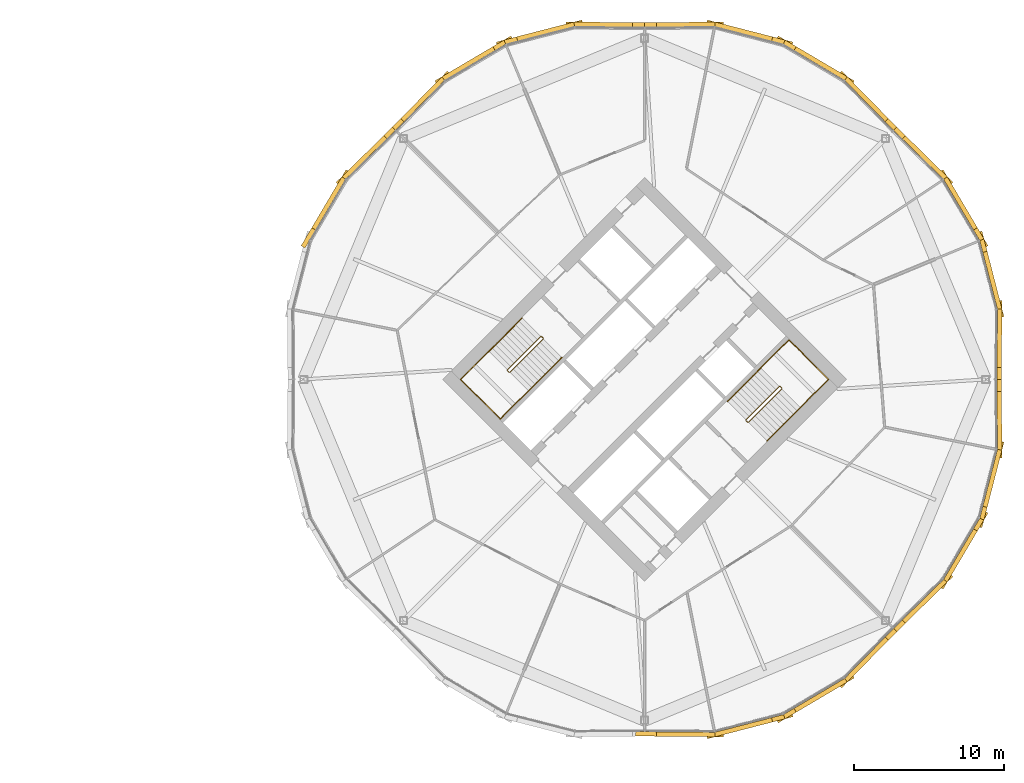
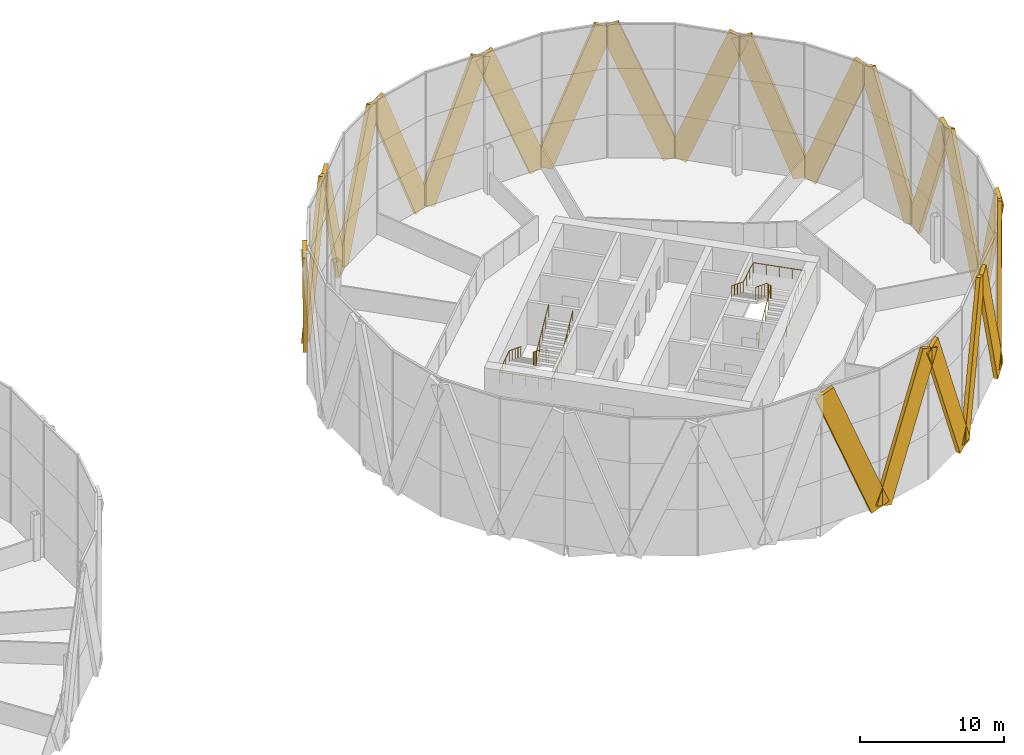
# One storey, part 26 of 26: 22 coverings, 4 railings.
"""IFC4 building model written with IfcOpenShell, lengths in metres."""

from ifc_helpers import new_model, si_unit, direction, frame, origin, origin_2d, place, context, subcontext, project, spatial, rectangle, circle, extrude, material, material_profile, profile_set, type_object, element, save


model = new_model("IFC4")

# Units and contexts
model_context = context("Model", 3, precision=1e-05, world=origin(), true_north=direction((0.0, 1.0)))
body_context = subcontext(model_context, "Body", "Model", "MODEL_VIEW")
ifc_project = project(units=[si_unit("LENGTHUNIT", "METRE"), si_unit("AREAUNIT", "SQUARE_METRE"), si_unit("VOLUMEUNIT", "CUBIC_METRE"), si_unit("PLANEANGLEUNIT", "RADIAN"), si_unit("MASSUNIT", "GRAM", prefix="KILO")], contexts=[model_context])

# Site, building, storey
site_placement = place(None, origin())
site = spatial("IfcSite", under=ifc_project, at=site_placement, CompositionType="ELEMENT")
building_placement = place(site_placement, origin())
building = spatial("IfcBuilding", under=site, at=building_placement, Name="Ogive Gate Towers", CompositionType="ELEMENT")
storey_placement = place(building_placement, frame((0.0, 0.0, 87.89990234375)))
storey = spatial("IfcBuildingStorey", under=building, at=storey_placement, Name="L20", CompositionType="ELEMENT", Elevation=87.89990234375)

# Coverings
ifc_material_1 = material(Name="Pale metal aluminium", Category="aluminium")
ifc_material_profile = material_profile(ifc_material_1, rectangle(XDim=0.300048828125, YDim=1.5, at=origin_2d()), Name="1500 x 300 pale metal aluminium")
ifc_profile_set = profile_set([ifc_material_profile], Name="Pale metal aluminium")
covering_type = type_object("IfcCoveringType", Name="Facade fin 1500 x 300", PredefinedType="CLADDING", material=ifc_profile_set)
covering_1_placement = place(storey_placement, frame((59.622314453125, 4.53759765625, -0.072998046875), z_axis=(-0.003440047404, -0.369306390886, 0.929301326656), x_axis=(0.99995661926, -0.009314483198, 0.0)))
element("IfcCovering", 1, at=covering_1_placement, inside=storey, type_object=covering_type, Name="Facade fin", PredefinedType="CLADDING", context=body_context, shape_type="SweptSolid", body=[
    extrude(rectangle(XDim=0.300048828125, YDim=1.5, at=origin_2d()), origin(), (0.0, 0.0, 1.0), 11.993896484375),
])
for number, where, z_axis, x_axis, name in (
    (2, (59.588623046875, 4.81103515625, -0.06982421875), (-0.093130794582, 0.36170772696, 0.927628252781), (-0.968415241774, -0.249342975639, 0.0), "Facade fin"),
    (3, (56.081787109375, 13.27783203125, -0.06982421875), (0.189901177669, -0.321618309681, 0.927630964122), (0.861097691065, 0.508439540597, 0.0), "Facade fin"),
):
    element("IfcCovering", number, at=place(storey_placement, frame(where, z_axis=z_axis, x_axis=x_axis)), inside=storey, type_object=covering_type, Name=name, PredefinedType="CLADDING", context=body_context, shape_type="SweptSolid", body=[
        extrude(rectangle(XDim=0.300048828125, YDim=1.5, at=origin_2d()), origin(), (0.0, 0.0, 1.0), 12.009033203125),
    ])
for number, where, z_axis, x_axis, name in (
    (4, (55.912109375, 13.4951171875, -0.072998046875), (-0.26358100466, 0.25869572849, 0.929301659335), (-0.700461997933, -0.713689701097, 0.0), "Facade fin"),
    (5, (49.4951171875, 19.912109375, -0.072998046875), (0.25869572849, -0.26358100466, 0.929301659335), (0.713689701097, 0.700461997933, 0.0), "Facade fin"),
):
    element("IfcCovering", number, at=place(storey_placement, frame(where, z_axis=z_axis, x_axis=x_axis)), inside=storey, type_object=covering_type, Name=name, PredefinedType="CLADDING", context=body_context, shape_type="SweptSolid", body=[
        extrude(rectangle(XDim=0.300048828125, YDim=1.5, at=origin_2d()), origin(), (0.0, 0.0, 1.0), 11.993896484375),
    ])
for number, where, z_axis, x_axis, name in (
    (6, (49.27783203125, 20.081787109375, -0.06982421875), (-0.321618309681, 0.189901177669, 0.927630964122), (-0.508439540597, -0.861097691065, 0.0), "Facade fin"),
    (7, (40.81103515625, 23.588623046875, -0.06982421875), (0.36170772696, -0.093130794582, 0.927628252781), (0.249342975639, 0.968415241774, 0.0), "Facade fin"),
):
    element("IfcCovering", number, at=place(storey_placement, frame(where, z_axis=z_axis, x_axis=x_axis)), inside=storey, type_object=covering_type, Name=name, PredefinedType="CLADDING", context=body_context, shape_type="SweptSolid", body=[
        extrude(rectangle(XDim=0.300048828125, YDim=1.5, at=origin_2d()), origin(), (0.0, 0.0, 1.0), 12.009033203125),
    ])
for number, where, z_axis, x_axis, name in (
    (8, (40.53759765625, 23.622314453125, -0.072998046875), (-0.369306390886, -0.003440047404, 0.929301326656), (0.009314483198, -0.99995661926, 0.0), "Facade fin"),
    (9, (31.46240234375, 23.622314453125, -0.072998046875), (0.369306390886, -0.003440047404, 0.929301326656), (0.009314483198, 0.99995661926, 0.0), "Facade fin"),
):
    element("IfcCovering", number, at=place(storey_placement, frame(where, z_axis=z_axis, x_axis=x_axis)), inside=storey, type_object=covering_type, Name=name, PredefinedType="CLADDING", context=body_context, shape_type="SweptSolid", body=[
        extrude(rectangle(XDim=0.300048828125, YDim=1.5, at=origin_2d()), origin(), (0.0, 0.0, 1.0), 11.993896484375),
    ])
for number, where, z_axis, x_axis, name in (
    (10, (31.18896484375, 23.588623046875, -0.06982421875), (-0.36170772696, -0.093130794582, 0.927628252781), (0.249342975639, -0.968415241774, 0.0), "Facade fin"),
    (11, (22.72216796875, 20.081787109375, -0.06982421875), (0.321618309681, 0.189901177669, 0.927630964122), (-0.508439540597, 0.861097691065, 0.0), "Facade fin"),
):
    element("IfcCovering", number, at=place(storey_placement, frame(where, z_axis=z_axis, x_axis=x_axis)), inside=storey, type_object=covering_type, Name=name, PredefinedType="CLADDING", context=body_context, shape_type="SweptSolid", body=[
        extrude(rectangle(XDim=0.300048828125, YDim=1.5, at=origin_2d()), origin(), (0.0, 0.0, 1.0), 12.009033203125),
    ])
for number, where, z_axis, x_axis, name in (
    (12, (22.5048828125, 19.912109375, -0.072998046875), (-0.25869572849, -0.26358100466, 0.929301659335), (0.713689701097, -0.700461997933, 0.0), "Facade fin"),
    (13, (16.087890625, 13.4951171875, -0.072998046875), (0.26358100466, 0.25869572849, 0.929301659335), (-0.700461997933, 0.713689701097, 0.0), "Facade fin"),
):
    element("IfcCovering", number, at=place(storey_placement, frame(where, z_axis=z_axis, x_axis=x_axis)), inside=storey, type_object=covering_type, Name=name, PredefinedType="CLADDING", context=body_context, shape_type="SweptSolid", body=[
        extrude(rectangle(XDim=0.300048828125, YDim=1.5, at=origin_2d()), origin(), (0.0, 0.0, 1.0), 11.993896484375),
    ])
covering_2_placement = place(storey_placement, frame((15.918212890625, 13.27783203125, -0.06982421875), z_axis=(-0.189901177669, -0.321618309681, 0.927630964122), x_axis=(0.861097691065, -0.508439540597, 0.0)))
element("IfcCovering", 14, at=covering_2_placement, inside=storey, type_object=covering_type, Name="Facade fin", PredefinedType="CLADDING", context=body_context, shape_type="SweptSolid", body=[
    extrude(rectangle(XDim=0.300048828125, YDim=1.5, at=origin_2d()), origin(), (0.0, 0.0, 1.0), 12.009033203125),
])
covering_3_placement = place(storey_placement, frame((40.53759765625, -23.622314453125, -0.072998046875), z_axis=(-0.369306390886, 0.003440047404, 0.929301326656), x_axis=(-0.009314483198, -0.99995661926, 0.0)))
element("IfcCovering", 15, at=covering_3_placement, inside=storey, type_object=covering_type, Name="Facade fin", PredefinedType="CLADDING", context=body_context, shape_type="SweptSolid", body=[
    extrude(rectangle(XDim=0.300048828125, YDim=1.5, at=origin_2d()), origin(), (0.0, 0.0, 1.0), 11.993896484375),
])
for number, where, z_axis, x_axis, name in (
    (16, (40.81103515625, -23.588623046875, -0.06982421875), (0.36170772696, 0.093130794582, 0.927628252781), (-0.249342975639, 0.968415241774, 0.0), "Facade fin"),
    (17, (49.27783203125, -20.081787109375, -0.06982421875), (-0.321618309681, -0.189901177669, 0.927630964122), (0.508439540597, -0.861097691065, 0.0), "Facade fin"),
):
    element("IfcCovering", number, at=place(storey_placement, frame(where, z_axis=z_axis, x_axis=x_axis)), inside=storey, type_object=covering_type, Name=name, PredefinedType="CLADDING", context=body_context, shape_type="SweptSolid", body=[
        extrude(rectangle(XDim=0.300048828125, YDim=1.5, at=origin_2d()), origin(), (0.0, 0.0, 1.0), 12.009033203125),
    ])
for number, where, z_axis, x_axis, name in (
    (18, (49.4951171875, -19.912109375, -0.072998046875), (0.25869572849, 0.26358100466, 0.929301659335), (-0.713689701097, 0.700461997933, 0.0), "Facade fin"),
    (19, (55.912109375, -13.4951171875, -0.072998046875), (-0.26358100466, -0.25869572849, 0.929301659335), (0.700461997933, -0.713689701097, 0.0), "Facade fin"),
):
    element("IfcCovering", number, at=place(storey_placement, frame(where, z_axis=z_axis, x_axis=x_axis)), inside=storey, type_object=covering_type, Name=name, PredefinedType="CLADDING", context=body_context, shape_type="SweptSolid", body=[
        extrude(rectangle(XDim=0.300048828125, YDim=1.5, at=origin_2d()), origin(), (0.0, 0.0, 1.0), 11.993896484375),
    ])
for number, where, z_axis, x_axis, name in (
    (20, (56.081787109375, -13.27783203125, -0.06982421875), (0.189901177669, 0.321618309681, 0.927630964122), (-0.861097691065, 0.508439540597, 0.0), "Facade fin"),
    (21, (59.588623046875, -4.81103515625, -0.06982421875), (-0.093130794582, -0.36170772696, 0.927628252781), (0.968415241774, -0.249342975639, 0.0), "Facade fin"),
):
    element("IfcCovering", number, at=place(storey_placement, frame(where, z_axis=z_axis, x_axis=x_axis)), inside=storey, type_object=covering_type, Name=name, PredefinedType="CLADDING", context=body_context, shape_type="SweptSolid", body=[
        extrude(rectangle(XDim=0.300048828125, YDim=1.5, at=origin_2d()), origin(), (0.0, 0.0, 1.0), 12.009033203125),
    ])
covering_4_placement = place(storey_placement, frame((59.622314453125, -4.53759765625, -0.072998046875), z_axis=(-0.003440047404, 0.369306390886, 0.929301326656), x_axis=(-0.99995661926, -0.009314483198, 0.0)))
element("IfcCovering", 22, at=covering_4_placement, inside=storey, type_object=covering_type, Name="Facade fin", PredefinedType="CLADDING", context=body_context, shape_type="SweptSolid", body=[
    extrude(rectangle(XDim=0.300048828125, YDim=1.5, at=origin_2d()), origin(), (0.0, 0.0, 1.0), 11.993896484375),
])

# Railings
ifc_material_2 = material(Name="Stainless steel", Category="steel")
railing_type_1 = type_object("IfcRailingType", Name="Stair guard 1100", PredefinedType="GUARDRAIL", material=ifc_material_2)
railing_1_placement = place(storey_placement, frame((29.15869140625, 2.8603515625, 0.0)))
element("IfcRailing", 23, at=railing_1_placement, inside=storey, type_object=railing_type_1, Name="L20 ST1 stair guard 1", PredefinedType="GUARDRAIL", context=body_context, shape_type="SweptSolid", body=[
    extrude(circle(Radius=0.02392578125, at=origin_2d()), frame((0.0, 0.0, 1.076171875), z_axis=(0.707106781187, -0.707106781187, 0.0), x_axis=(0.707106781187, 0.707106781187, 0.0)), (0.0, 0.0, 1.0), 0.14501953125),
    extrude(circle(Radius=0.02392578125, at=origin_2d()), frame((0.1025390625, -0.1025390625, 1.076171875), z_axis=(-0.645182954318, 0.382195826253, 0.661562775443), x_axis=(-0.509669330572, -0.860370369942, 0.0)), (0.0, 0.0, 1.0), 0.268310546875),
    extrude(circle(Radius=0.02392578125, at=origin_2d()), frame((-0.070556640625, 0.0, 1.25341796875), z_axis=(-0.61558473135, -0.61558473135, 0.49204763698), x_axis=(0.707106781187, -0.707106781187, 0.0)), (0.0, 0.0, 1.0), 3.602783203125),
    extrude(circle(Radius=0.02392578125, at=origin_2d()), frame((-2.288330078125, -2.2177734375, 3.0263671875), z_axis=(0.0, -1.0, 0.0), x_axis=(1.0, 0.0, 0.0)), (0.0, 0.0, 1.0), 0.07080078125),
    extrude(circle(Radius=0.02392578125, at=origin_2d()), frame((-2.288330078125, -2.28857421875, 3.0263671875), z_axis=(0.707106781187, -0.707106781187, 0.0), x_axis=(0.707106781187, 0.707106781187, 0.0)), (0.0, 0.0, 1.0), 0.14501953125),
    extrude(circle(Radius=0.02392578125, at=origin_2d()), frame((-2.185791015625, -2.39111328125, 3.0263671875), z_axis=(0.369845645421, 0.0, 0.929093213065), x_axis=(0.0, 1.0, 0.0)), (0.0, 0.0, 1.0), 0.190673828125),
    extrude(circle(Radius=0.02392578125, at=origin_2d()), frame((-2.115234375, -2.39111328125, 3.20361328125), z_axis=(0.61558473135, 0.61558473135, 0.49204763698), x_axis=(-0.707106781187, 0.707106781187, 0.0)), (0.0, 0.0, 1.0), 3.602783203125),
    extrude(circle(Radius=0.02099609375, at=origin_2d()), origin(), (0.0, 0.0, 1.0), 1.052001953125),
    extrude(circle(Radius=0.02099609375, at=origin_2d()), frame((0.1025390625, -0.1025390625, 0.0)), (0.0, 0.0, 1.0), 1.052001953125),
    extrude(circle(Radius=0.02099609375, at=origin_2d()), frame((-0.070556640625, 0.0, 0.177490234375)), (0.0, 0.0, 1.0), 1.052001953125),
    extrude(circle(Radius=0.02099609375, at=origin_2d()), frame((-0.625, -0.554443359375, 0.62060546875)), (0.0, 0.0, 1.0), 1.052001953125),
    extrude(circle(Radius=0.02099609375, at=origin_2d()), frame((-1.179443359375, -1.10888671875, 1.06396484375)), (0.0, 0.0, 1.0), 1.052001953125),
    extrude(circle(Radius=0.02099609375, at=origin_2d()), frame((-1.73388671875, -1.663330078125, 1.507080078125)), (0.0, 0.0, 1.0), 1.052001953125),
    extrude(circle(Radius=0.02099609375, at=origin_2d()), frame((-2.288330078125, -2.2177734375, 1.9501953125)), (0.0, 0.0, 1.0), 1.052001953125),
    extrude(circle(Radius=0.02099609375, at=origin_2d()), frame((-2.288330078125, -2.28857421875, 1.9501953125)), (0.0, 0.0, 1.0), 1.052001953125),
    extrude(circle(Radius=0.02099609375, at=origin_2d()), frame((-2.185791015625, -2.39111328125, 1.9501953125)), (0.0, 0.0, 1.0), 1.052001953125),
    extrude(circle(Radius=0.02099609375, at=origin_2d()), frame((-2.115234375, -2.39111328125, 2.12744140625)), (0.0, 0.0, 1.0), 1.052001953125),
    extrude(circle(Radius=0.02099609375, at=origin_2d()), frame((-1.560791015625, -1.836669921875, 2.570556640625)), (0.0, 0.0, 1.0), 1.052001953125),
    extrude(circle(Radius=0.02099609375, at=origin_2d()), frame((-1.00634765625, -1.2822265625, 3.013671875)), (0.0, 0.0, 1.0), 1.052001953125),
    extrude(circle(Radius=0.02099609375, at=origin_2d()), frame((-0.451904296875, -0.727783203125, 3.45703125)), (0.0, 0.0, 1.0), 1.052001953125),
    extrude(circle(Radius=0.02099609375, at=origin_2d()), frame((0.1025390625, -0.17333984375, 3.900146484375)), (0.0, 0.0, 1.0), 1.052001953125),
])
railing_2_placement = place(storey_placement, frame((42.84130859375, -2.8603515625, 0.0)))
element("IfcRailing", 24, at=railing_2_placement, inside=storey, type_object=railing_type_1, Name="L20 ST2 stair guard 1", PredefinedType="GUARDRAIL", context=body_context, shape_type="SweptSolid", body=[
    extrude(circle(Radius=0.02392578125, at=origin_2d()), frame((0.0, 0.0, 1.076171875), z_axis=(-0.707106781187, 0.707106781187, 0.0), x_axis=(-0.707106781187, -0.707106781187, 0.0)), (0.0, 0.0, 1.0), 0.14501953125),
    extrude(circle(Radius=0.02392578125, at=origin_2d()), frame((-0.1025390625, 0.1025390625, 1.076171875), z_axis=(0.645182954318, -0.382195826253, 0.661562775443), x_axis=(0.509669330572, 0.860370369942, 0.0)), (0.0, 0.0, 1.0), 0.268310546875),
    extrude(circle(Radius=0.02392578125, at=origin_2d()), frame((0.070556640625, 0.0, 1.25341796875), z_axis=(0.61558473135, 0.61558473135, 0.49204763698), x_axis=(-0.707106781187, 0.707106781187, 0.0)), (0.0, 0.0, 1.0), 3.602783203125),
    extrude(circle(Radius=0.02392578125, at=origin_2d()), frame((2.288330078125, 2.2177734375, 3.0263671875), z_axis=(0.0, 1.0, 0.0), x_axis=(-1.0, 0.0, 0.0)), (0.0, 0.0, 1.0), 0.07080078125),
    extrude(circle(Radius=0.02392578125, at=origin_2d()), frame((2.288330078125, 2.28857421875, 3.0263671875), z_axis=(-0.707106781187, 0.707106781187, 0.0), x_axis=(-0.707106781187, -0.707106781187, 0.0)), (0.0, 0.0, 1.0), 0.14501953125),
    extrude(circle(Radius=0.02392578125, at=origin_2d()), frame((2.185791015625, 2.39111328125, 3.0263671875), z_axis=(-0.369845645421, 0.0, 0.929093213065), x_axis=(0.0, -1.0, 0.0)), (0.0, 0.0, 1.0), 0.190673828125),
    extrude(circle(Radius=0.02392578125, at=origin_2d()), frame((2.115234375, 2.39111328125, 3.20361328125), z_axis=(-0.61558473135, -0.61558473135, 0.49204763698), x_axis=(0.707106781187, -0.707106781187, 0.0)), (0.0, 0.0, 1.0), 3.602783203125),
    extrude(circle(Radius=0.02099609375, at=origin_2d()), origin(), (0.0, 0.0, 1.0), 1.052001953125),
    extrude(circle(Radius=0.02099609375, at=origin_2d()), frame((-0.1025390625, 0.1025390625, 0.0)), (0.0, 0.0, 1.0), 1.052001953125),
    extrude(circle(Radius=0.02099609375, at=origin_2d()), frame((0.070556640625, 0.0, 0.177490234375)), (0.0, 0.0, 1.0), 1.052001953125),
    extrude(circle(Radius=0.02099609375, at=origin_2d()), frame((0.625, 0.554443359375, 0.62060546875)), (0.0, 0.0, 1.0), 1.052001953125),
    extrude(circle(Radius=0.02099609375, at=origin_2d()), frame((1.179443359375, 1.10888671875, 1.06396484375)), (0.0, 0.0, 1.0), 1.052001953125),
    extrude(circle(Radius=0.02099609375, at=origin_2d()), frame((1.73388671875, 1.663330078125, 1.507080078125)), (0.0, 0.0, 1.0), 1.052001953125),
    extrude(circle(Radius=0.02099609375, at=origin_2d()), frame((2.288330078125, 2.2177734375, 1.9501953125)), (0.0, 0.0, 1.0), 1.052001953125),
    extrude(circle(Radius=0.02099609375, at=origin_2d()), frame((2.288330078125, 2.28857421875, 1.9501953125)), (0.0, 0.0, 1.0), 1.052001953125),
    extrude(circle(Radius=0.02099609375, at=origin_2d()), frame((2.185791015625, 2.39111328125, 1.9501953125)), (0.0, 0.0, 1.0), 1.052001953125),
    extrude(circle(Radius=0.02099609375, at=origin_2d()), frame((2.115234375, 2.39111328125, 2.12744140625)), (0.0, 0.0, 1.0), 1.052001953125),
    extrude(circle(Radius=0.02099609375, at=origin_2d()), frame((1.560791015625, 1.836669921875, 2.570556640625)), (0.0, 0.0, 1.0), 1.052001953125),
    extrude(circle(Radius=0.02099609375, at=origin_2d()), frame((1.00634765625, 1.2822265625, 3.013671875)), (0.0, 0.0, 1.0), 1.052001953125),
    extrude(circle(Radius=0.02099609375, at=origin_2d()), frame((0.451904296875, 0.727783203125, 3.45703125)), (0.0, 0.0, 1.0), 1.052001953125),
    extrude(circle(Radius=0.02099609375, at=origin_2d()), frame((-0.1025390625, 0.17333984375, 3.900146484375)), (0.0, 0.0, 1.0), 1.052001953125),
])
railing_type_2 = type_object("IfcRailingType", Name="Stair handrail 900", PredefinedType="HANDRAIL", material=ifc_material_2)
railing_3_placement = place(storey_placement, frame((27.857666015625, 4.090576171875, 0.177490234375)))
element("IfcRailing", 25, at=railing_3_placement, inside=storey, type_object=railing_type_2, Name="L20 ST1 stair handrail 1", PredefinedType="HANDRAIL", context=body_context, shape_type="SweptSolid", body=[
    extrude(circle(Radius=0.02392578125, at=origin_2d()), frame((0.0, 0.0, 0.8759765625), z_axis=(-0.61558473135, -0.61558473135, 0.49204763698), x_axis=(0.707106781187, -0.707106781187, 0.0)), (0.0, 0.0, 1.0), 3.602783203125),
    extrude(circle(Radius=0.02392578125, at=origin_2d()), frame((-2.2177734375, -2.2177734375, 2.6484375), z_axis=(-0.707106781187, -0.707106781187, 0.0), x_axis=(0.707106781187, -0.707106781187, 0.0)), (0.0, 0.0, 1.0), 2.6484375),
    extrude(circle(Radius=0.02392578125, at=origin_2d()), frame((-4.090576171875, -4.090576171875, 2.6484375), z_axis=(0.707106781187, -0.707106781187, 0.0), x_axis=(0.707106781187, 0.707106781187, 0.0)), (0.0, 0.0, 1.0), 3.72509765625),
    extrude(circle(Radius=0.02392578125, at=origin_2d()), frame((-1.45654296875, -6.724609375, 2.6484375), z_axis=(0.705482886452, 0.705574853978, 0.066768423356), x_axis=(-0.70715286629, 0.70706069308, 0.0)), (0.0, 0.0, 1.0), 2.654541015625),
    extrude(circle(Radius=0.02392578125, at=origin_2d()), frame((0.416259765625, -4.8515625, 2.82568359375), z_axis=(0.615610411033, 0.615542642384, 0.4920681632), x_axis=(-0.70706785752, 0.70714570271, 0.0)), (0.0, 0.0, 1.0), 3.6025390625),
    extrude(circle(Radius=0.02099609375, at=origin_2d()), origin(), (0.0, 0.0, 1.0), 0.851806640625),
    extrude(circle(Radius=0.02099609375, at=origin_2d()), frame((-0.554443359375, -0.554443359375, 0.443115234375)), (0.0, 0.0, 1.0), 0.851806640625),
    extrude(circle(Radius=0.02099609375, at=origin_2d()), frame((-1.10888671875, -1.10888671875, 0.88623046875)), (0.0, 0.0, 1.0), 0.851806640625),
    extrude(circle(Radius=0.02099609375, at=origin_2d()), frame((-1.663330078125, -1.663330078125, 1.32958984375)), (0.0, 0.0, 1.0), 0.851806640625),
    extrude(circle(Radius=0.02099609375, at=origin_2d()), frame((-2.2177734375, -2.2177734375, 1.772705078125)), (0.0, 0.0, 1.0), 0.851806640625),
    extrude(circle(Radius=0.02099609375, at=origin_2d()), frame((-2.842041015625, -2.842041015625, 1.772705078125)), (0.0, 0.0, 1.0), 0.851806640625),
    extrude(circle(Radius=0.02099609375, at=origin_2d()), frame((-3.46630859375, -3.46630859375, 1.772705078125)), (0.0, 0.0, 1.0), 0.851806640625),
    extrude(circle(Radius=0.02099609375, at=origin_2d()), frame((-4.090576171875, -4.090576171875, 1.772705078125)), (0.0, 0.0, 1.0), 0.851806640625),
    extrude(circle(Radius=0.02099609375, at=origin_2d()), frame((-3.43212890625, -4.7490234375, 1.772705078125)), (0.0, 0.0, 1.0), 0.851806640625),
    extrude(circle(Radius=0.02099609375, at=origin_2d()), frame((-2.7734375, -5.40771484375, 1.772705078125)), (0.0, 0.0, 1.0), 0.851806640625),
    extrude(circle(Radius=0.02099609375, at=origin_2d()), frame((-2.114990234375, -6.066162109375, 1.772705078125)), (0.0, 0.0, 1.0), 0.851806640625),
    extrude(circle(Radius=0.02099609375, at=origin_2d()), frame((-1.45654296875, -6.724609375, 1.772705078125)), (0.0, 0.0, 1.0), 0.851806640625),
    extrude(circle(Radius=0.02099609375, at=origin_2d()), frame((-0.832275390625, -6.100341796875, 1.831787109375)), (0.0, 0.0, 1.0), 0.851806640625),
    extrude(circle(Radius=0.02099609375, at=origin_2d()), frame((-0.2080078125, -5.475830078125, 1.890869140625)), (0.0, 0.0, 1.0), 0.851806640625),
    extrude(circle(Radius=0.02099609375, at=origin_2d()), frame((0.416259765625, -4.8515625, 1.949951171875)), (0.0, 0.0, 1.0), 0.851806640625),
    extrude(circle(Radius=0.02099609375, at=origin_2d()), frame((0.970703125, -4.297119140625, 2.39306640625)), (0.0, 0.0, 1.0), 0.851806640625),
    extrude(circle(Radius=0.02099609375, at=origin_2d()), frame((1.525146484375, -3.74267578125, 2.83642578125)), (0.0, 0.0, 1.0), 0.851806640625),
    extrude(circle(Radius=0.02099609375, at=origin_2d()), frame((2.07958984375, -3.1884765625, 3.279541015625)), (0.0, 0.0, 1.0), 0.851806640625),
    extrude(circle(Radius=0.02099609375, at=origin_2d()), frame((2.634033203125, -2.634033203125, 3.72265625)), (0.0, 0.0, 1.0), 0.851806640625),
])
railing_4_placement = place(storey_placement, frame((44.142333984375, -4.090576171875, 0.177490234375)))
element("IfcRailing", 26, at=railing_4_placement, inside=storey, type_object=railing_type_2, Name="L20 ST2 stair handrail 1", PredefinedType="HANDRAIL", context=body_context, shape_type="SweptSolid", body=[
    extrude(circle(Radius=0.02392578125, at=origin_2d()), frame((0.0, 0.0, 0.8759765625), z_axis=(0.61558473135, 0.61558473135, 0.49204763698), x_axis=(-0.707106781187, 0.707106781187, 0.0)), (0.0, 0.0, 1.0), 3.602783203125),
    extrude(circle(Radius=0.02392578125, at=origin_2d()), frame((2.2177734375, 2.2177734375, 2.6484375), z_axis=(0.707106781187, 0.707106781187, 0.0), x_axis=(-0.707106781187, 0.707106781187, 0.0)), (0.0, 0.0, 1.0), 2.6484375),
    extrude(circle(Radius=0.02392578125, at=origin_2d()), frame((4.090576171875, 4.090576171875, 2.6484375), z_axis=(-0.707106781187, 0.707106781187, 0.0), x_axis=(-0.707106781187, -0.707106781187, 0.0)), (0.0, 0.0, 1.0), 3.72509765625),
    extrude(circle(Radius=0.02392578125, at=origin_2d()), frame((1.45654296875, 6.724609375, 2.6484375), z_axis=(-0.705482886452, -0.705574853978, 0.066768423356), x_axis=(0.70715286629, -0.70706069308, 0.0)), (0.0, 0.0, 1.0), 2.654541015625),
    extrude(circle(Radius=0.02392578125, at=origin_2d()), frame((-0.416259765625, 4.8515625, 2.82568359375), z_axis=(-0.615610411033, -0.615542642384, 0.4920681632), x_axis=(0.70706785752, -0.70714570271, 0.0)), (0.0, 0.0, 1.0), 3.6025390625),
    extrude(circle(Radius=0.02099609375, at=origin_2d()), origin(), (0.0, 0.0, 1.0), 0.851806640625),
    extrude(circle(Radius=0.02099609375, at=origin_2d()), frame((0.554443359375, 0.554443359375, 0.443115234375)), (0.0, 0.0, 1.0), 0.851806640625),
    extrude(circle(Radius=0.02099609375, at=origin_2d()), frame((1.10888671875, 1.10888671875, 0.88623046875)), (0.0, 0.0, 1.0), 0.851806640625),
    extrude(circle(Radius=0.02099609375, at=origin_2d()), frame((1.663330078125, 1.663330078125, 1.32958984375)), (0.0, 0.0, 1.0), 0.851806640625),
    extrude(circle(Radius=0.02099609375, at=origin_2d()), frame((2.2177734375, 2.2177734375, 1.772705078125)), (0.0, 0.0, 1.0), 0.851806640625),
    extrude(circle(Radius=0.02099609375, at=origin_2d()), frame((2.842041015625, 2.842041015625, 1.772705078125)), (0.0, 0.0, 1.0), 0.851806640625),
    extrude(circle(Radius=0.02099609375, at=origin_2d()), frame((3.46630859375, 3.46630859375, 1.772705078125)), (0.0, 0.0, 1.0), 0.851806640625),
    extrude(circle(Radius=0.02099609375, at=origin_2d()), frame((4.090576171875, 4.090576171875, 1.772705078125)), (0.0, 0.0, 1.0), 0.851806640625),
    extrude(circle(Radius=0.02099609375, at=origin_2d()), frame((3.43212890625, 4.7490234375, 1.772705078125)), (0.0, 0.0, 1.0), 0.851806640625),
    extrude(circle(Radius=0.02099609375, at=origin_2d()), frame((2.7734375, 5.40771484375, 1.772705078125)), (0.0, 0.0, 1.0), 0.851806640625),
    extrude(circle(Radius=0.02099609375, at=origin_2d()), frame((2.114990234375, 6.066162109375, 1.772705078125)), (0.0, 0.0, 1.0), 0.851806640625),
    extrude(circle(Radius=0.02099609375, at=origin_2d()), frame((1.45654296875, 6.724609375, 1.772705078125)), (0.0, 0.0, 1.0), 0.851806640625),
    extrude(circle(Radius=0.02099609375, at=origin_2d()), frame((0.832275390625, 6.100341796875, 1.831787109375)), (0.0, 0.0, 1.0), 0.851806640625),
    extrude(circle(Radius=0.02099609375, at=origin_2d()), frame((0.2080078125, 5.475830078125, 1.890869140625)), (0.0, 0.0, 1.0), 0.851806640625),
    extrude(circle(Radius=0.02099609375, at=origin_2d()), frame((-0.416259765625, 4.8515625, 1.949951171875)), (0.0, 0.0, 1.0), 0.851806640625),
    extrude(circle(Radius=0.02099609375, at=origin_2d()), frame((-0.970703125, 4.297119140625, 2.39306640625)), (0.0, 0.0, 1.0), 0.851806640625),
    extrude(circle(Radius=0.02099609375, at=origin_2d()), frame((-1.525146484375, 3.74267578125, 2.83642578125)), (0.0, 0.0, 1.0), 0.851806640625),
    extrude(circle(Radius=0.02099609375, at=origin_2d()), frame((-2.07958984375, 3.1884765625, 3.279541015625)), (0.0, 0.0, 1.0), 0.851806640625),
    extrude(circle(Radius=0.02099609375, at=origin_2d()), frame((-2.634033203125, 2.634033203125, 3.72265625)), (0.0, 0.0, 1.0), 0.851806640625),
])

save(model, "model.ifc")
